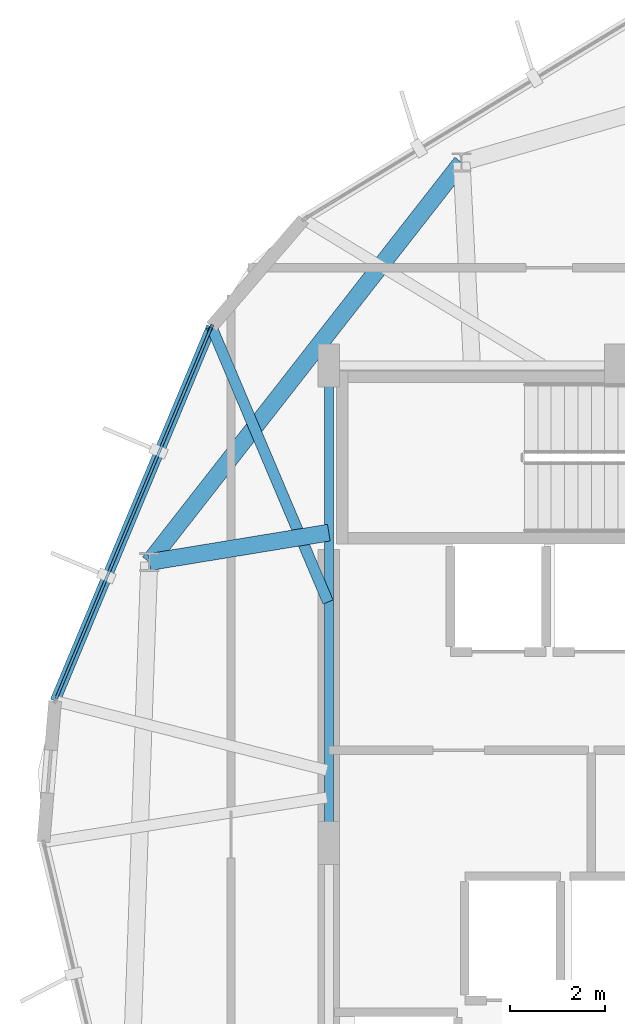
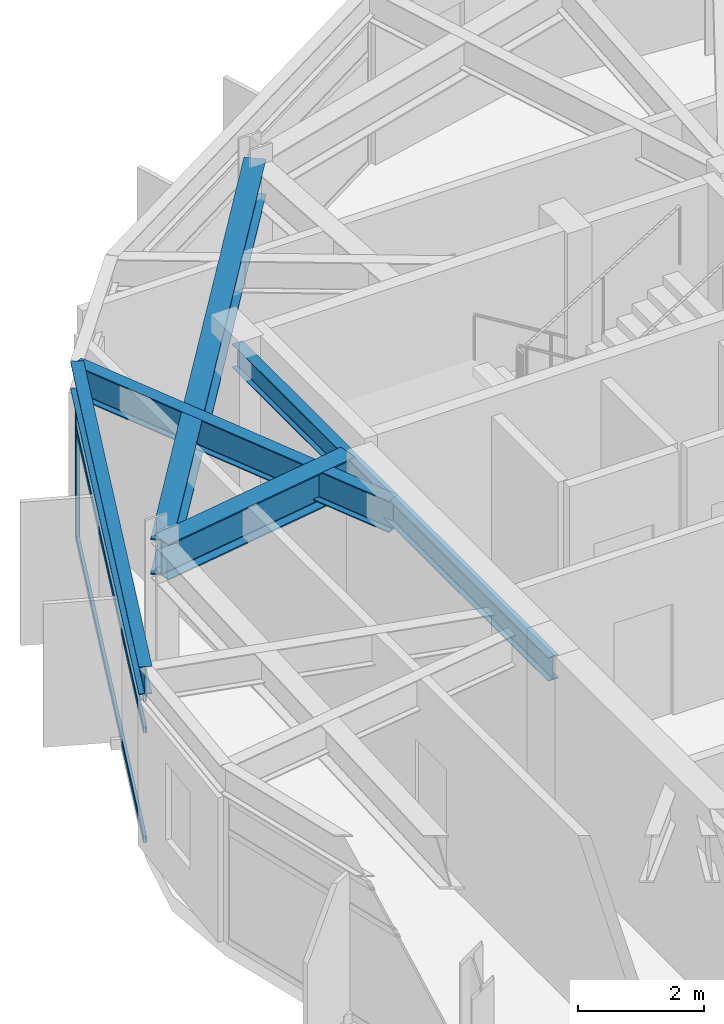
# One storey, part 8 of 23: 5 beams, 4 members, 1 element without a shape of its own.
"""IFC4 building model written with IfcOpenShell, lengths in metres."""

from ifc_helpers import new_model, si_unit, direction, frame, origin, origin_2d, place, context, subcontext, project, spatial, hollow_rectangle, i_section, extrude, material, layer, layer_set, material_profile, profile_set, type_object, element, aggregate, save


model = new_model("IFC4")

# Units and contexts
model_context = context("Model", 3, precision=1e-05, world=origin(), true_north=direction((0.0, 1.0)))
body_context = subcontext(model_context, "Body", "Model", "MODEL_VIEW")
ifc_project = project(units=[si_unit("LENGTHUNIT", "METRE"), si_unit("AREAUNIT", "SQUARE_METRE"), si_unit("VOLUMEUNIT", "CUBIC_METRE"), si_unit("PLANEANGLEUNIT", "RADIAN"), si_unit("MASSUNIT", "GRAM", prefix="KILO")], contexts=[model_context])

# Site, building, storey
site_placement = place(None, origin())
site = spatial("IfcSite", under=ifc_project, at=site_placement, CompositionType="ELEMENT")
building_placement = place(site_placement, origin())
building = spatial("IfcBuilding", under=site, at=building_placement, Name="Soratama Intermodal Tower", CompositionType="ELEMENT")
storey_placement = place(building_placement, frame((0.0, 0.0, 280.0)))
storey = spatial("IfcBuildingStorey", under=building, at=storey_placement, Name="L71", CompositionType="ELEMENT", Elevation=280.0)

# Beams
ifc_material_1 = material(Name="Structural steel ASTM A992 Grade 50", Category="steel")
ifc_material_profile_1 = material_profile(ifc_material_1, i_section(OverallWidth=0.19091796875, OverallDepth=0.4599609375, WebThickness=0.010009765625, FlangeThickness=0.01611328125, FilletRadius=0.010986328125, at=origin_2d()), Name="W18X55")
ifc_profile_set_1 = profile_set([ifc_material_profile_1], Name="Structural steel ASTM A992 Grade 50")
beam_type_1 = type_object("IfcBeamType", Name="BM-FLR-W18X55", PredefinedType="BEAM", material=ifc_profile_set_1)
beam_1_placement = place(storey_placement, frame((32.60009765625, 35.0, 3.179931640625), z_axis=(0.0, -1.0, 0.0), x_axis=(1.0, 0.0, 0.0)))
element("IfcBeam", 1, at=beam_1_placement, inside=storey, type_object=beam_type_1, Name="BM-L71-CRING-08", PredefinedType="BEAM", context=body_context, shape_type="SweptSolid", body=[
    extrude(i_section(OverallWidth=0.19091796875, OverallDepth=0.4599609375, WebThickness=0.010009765625, FlangeThickness=0.01611328125, FilletRadius=0.010986328125, at=origin_2d()), origin(), (0.0, 0.0, 1.0), 10.0),
])
ifc_material_2 = material(Name="Structural steel ASTM A992 Grade 50", Category="steel")
ifc_material_profile_2 = material_profile(ifc_material_2, i_section(OverallWidth=0.35498046875, OverallDepth=0.695068359375, WebThickness=0.015380859375, FlangeThickness=0.02490234375, FilletRadius=0.01611328125, at=origin_2d()), Name="W27X146")
ifc_profile_set_2 = profile_set([ifc_material_profile_2], Name="Structural steel ASTM A992 Grade 50")
beam_type_2 = type_object("IfcBeamType", Name="BM-RING-W27X146", PredefinedType="BEAM", material=ifc_profile_set_2)
beam_2_placement = place(storey_placement, frame((35.382080078125, 39.259033203125, 3.0625), z_axis=(-0.6157278291, -0.787958907858, 0.0), x_axis=(0.787958907858, -0.6157278291, 0.0)))
element("IfcBeam", 2, at=beam_2_placement, inside=storey, type_object=beam_type_2, Name="BM-L71-RING-04", PredefinedType="BEAM", context=body_context, shape_type="SweptSolid", body=[
    extrude(i_section(OverallWidth=0.35498046875, OverallDepth=0.695068359375, WebThickness=0.015380859375, FlangeThickness=0.02490234375, FilletRadius=0.01611328125, at=origin_2d()), origin(), (0.0, 0.0, 1.0), 10.6298828125),
])
beam_3_placement = place(storey_placement, frame((32.60009765625, 31.5, 3.0625), z_axis=(-0.986826492219, -0.161782181513, 0.0), x_axis=(0.161782181513, -0.986826492219, 0.0)))
element("IfcBeam", 3, at=beam_3_placement, inside=storey, type_object=beam_type_2, Name="BM-L71-RAD-05", PredefinedType="BEAM", context=body_context, shape_type="SweptSolid", body=[
    extrude(i_section(OverallWidth=0.35498046875, OverallDepth=0.695068359375, WebThickness=0.015380859375, FlangeThickness=0.02490234375, FilletRadius=0.01611328125, at=origin_2d()), origin(), (0.0, 0.0, 1.0), 3.8134765625),
])
ifc_material_3 = material(Name="Structural steel ASTM A992 Grade 50", Category="steel")
ifc_material_profile_3 = material_profile(ifc_material_3, i_section(OverallWidth=0.2099609375, OverallDepth=0.537109375, WebThickness=0.010986328125, FlangeThickness=0.017333984375, FilletRadius=0.012939453125, at=origin_2d()), Name="W21X68")
ifc_profile_set_3 = profile_set([ifc_material_profile_3], Name="Structural steel ASTM A992 Grade 50")
beam_type_3 = type_object("IfcBeamType", Name="BM-SPN-W21X68", PredefinedType="SPANDREL", material=ifc_profile_set_3)
beam_4_placement = place(storey_placement, frame((30.14111328125, 35.81591796875, 3.1416015625), z_axis=(-0.385534976464, -0.922693221999, 0.0), x_axis=(0.922693221999, -0.385534976464, 0.0)))
element("IfcBeam", 4, at=beam_4_placement, inside=storey, type_object=beam_type_3, Name="BS-L71-F03", PredefinedType="SPANDREL", context=body_context, shape_type="SweptSolid", body=[
    extrude(i_section(OverallWidth=0.2099609375, OverallDepth=0.537109375, WebThickness=0.010986328125, FlangeThickness=0.017333984375, FilletRadius=0.012939453125, at=origin_2d()), origin(), (0.0, 0.0, 1.0), 8.500244140625),
])
ifc_material_4 = material(Name="Structural steel ASTM A992 Grade 50", Category="steel")
ifc_material_profile_4 = material_profile(ifc_material_4, i_section(OverallWidth=0.22900390625, OverallDepth=0.612060546875, WebThickness=0.011962890625, FlangeThickness=0.01953125, FilletRadius=0.012939453125, at=origin_2d()), Name="W24X84")
ifc_profile_set_4 = profile_set([ifc_material_profile_4], Name="Structural steel ASTM A992 Grade 50")
beam_type_4 = type_object("IfcBeamType", Name="BM-TIE-W24X84", PredefinedType="BEAM", material=ifc_profile_set_4)
beam_5_placement = place(storey_placement, frame((32.583984375, 30.0458984375, 3.10400390625), z_axis=(-0.389871316664, 0.920869348194, 0.0), x_axis=(-0.920869348194, -0.389871316664, 0.0)))
element("IfcBeam", 5, at=beam_5_placement, inside=storey, type_object=beam_type_4, Name="BM-L71-TIE0-03", PredefinedType="BEAM", context=body_context, shape_type="SweptSolid", body=[
    extrude(i_section(OverallWidth=0.22900390625, OverallDepth=0.612060546875, WebThickness=0.011962890625, FlangeThickness=0.01953125, FilletRadius=0.012939453125, at=origin_2d()), origin(), (0.0, 0.0, 1.0), 6.265869140625),
])

# Curtain wall, members
ifc_material_5 = material(Name="Double-glazed aluminium curtain wall", Category="aluminium")
ifc_layer = layer(ifc_material_5, 0.159912109375)
ifc_layer_set = layer_set([ifc_layer], Name="Double-glazed aluminium curtain wall")
curtain_wall_type = type_object("IfcCurtainWallType", Name="CW-SYS-5", PredefinedType="NOTDEFINED", material=ifc_layer_set)
curtain_wall_placement = place(storey_placement, origin())
curtain_wall = element("IfcCurtainWall", 6, at=curtain_wall_placement, inside=storey, type_object=curtain_wall_type, Name="L71 Faceted Curtain Wall F03", PredefinedType="NOTDEFINED")
ifc_material_6 = material(Name="Anodised aluminium AA 6063-T6", Category="aluminium")
ifc_material_profile_5 = material_profile(ifc_material_6, hollow_rectangle(XDim=0.06494140625, YDim=0.139892578125, WallThickness=0.0048828125, InnerFilletRadius=0.0048828125, OuterFilletRadius=0.010009765625, at=origin_2d()), Name="CWM140X65X5")
ifc_profile_set_5 = profile_set([ifc_material_profile_5], Name="Anodised aluminium AA 6063-T6")
member_type_1 = type_object("IfcMemberType", Name="MT-CWM-5", PredefinedType="MULLION", material=ifc_profile_set_5)
member_1_placement = place(storey_placement, frame((30.1298828125, 35.787841796875, 0.0), z_axis=(0.0, 0.0, 1.0), x_axis=(0.922673346842, -0.385582539838, 0.0)))
member_1 = element("IfcMember", 7, at=member_1_placement, type_object=member_type_1, Name="CW-5 mullion 1", PredefinedType="MULLION", context=body_context, shape_type="SweptSolid", body=[
    extrude(hollow_rectangle(XDim=0.06494140625, YDim=0.139892578125, WallThickness=0.0048828125, InnerFilletRadius=0.0048828125, OuterFilletRadius=0.010009765625, at=origin_2d()), origin(), (0.0, 0.0, 1.0), 2.7890625),
])
ifc_material_7 = material(Name="Anodised aluminium AA 6063-T6", Category="aluminium")
ifc_material_profile_6 = material_profile(ifc_material_7, hollow_rectangle(XDim=0.06005859375, YDim=0.1298828125, WallThickness=0.0048828125, InnerFilletRadius=0.0048828125, OuterFilletRadius=0.010009765625, at=origin_2d()), Name="CWT130X60X5")
ifc_profile_set_6 = profile_set([ifc_material_profile_6], Name="Anodised aluminium AA 6063-T6")
member_type_2 = type_object("IfcMemberType", Name="TT-CWT-2", PredefinedType="USERDEFINED", material=ifc_profile_set_6)
member_2_placement = place(storey_placement, frame((30.1181640625, 35.76025390625, 0.030029296875), z_axis=(-0.385562648469, -0.922681659136, 0.0), x_axis=(0.922681659136, -0.385562648469, 0.0)))
member_2 = element("IfcMember", 8, at=member_2_placement, type_object=member_type_2, Name="CW-5 transom 1.1", ObjectType="TRANSOM", PredefinedType="USERDEFINED", context=body_context, shape_type="SweptSolid", body=[
    extrude(hollow_rectangle(XDim=0.06005859375, YDim=0.1298828125, WallThickness=0.0048828125, InnerFilletRadius=0.0048828125, OuterFilletRadius=0.010009765625, at=origin_2d()), origin(), (0.0, 0.0, 1.0), 8.3798828125),
])
member_3_placement = place(storey_placement, frame((30.1181640625, 35.76025390625, 2.14990234375), z_axis=(-0.385562648469, -0.922681659136, 0.0), x_axis=(0.922681659136, -0.385562648469, 0.0)))
member_3 = element("IfcMember", 9, at=member_3_placement, type_object=member_type_2, Name="CW-5 transom 1.2", ObjectType="TRANSOM", PredefinedType="USERDEFINED", context=body_context, shape_type="SweptSolid", body=[
    extrude(hollow_rectangle(XDim=0.06005859375, YDim=0.1298828125, WallThickness=0.0048828125, InnerFilletRadius=0.0048828125, OuterFilletRadius=0.010009765625, at=origin_2d()), origin(), (0.0, 0.0, 1.0), 8.3798828125),
])
member_4_placement = place(storey_placement, frame((30.1181640625, 35.76025390625, 2.759033203125), z_axis=(-0.385562648469, -0.922681659136, 0.0), x_axis=(0.922681659136, -0.385562648469, 0.0)))
member_4 = element("IfcMember", 10, at=member_4_placement, type_object=member_type_2, Name="CW-5 transom 1.3", ObjectType="TRANSOM", PredefinedType="USERDEFINED", context=body_context, shape_type="SweptSolid", body=[
    extrude(hollow_rectangle(XDim=0.06005859375, YDim=0.1298828125, WallThickness=0.0048828125, InnerFilletRadius=0.0048828125, OuterFilletRadius=0.010009765625, at=origin_2d()), origin(), (0.0, 0.0, 1.0), 8.3798828125),
])
aggregate(curtain_wall, [member_1, member_2, member_3, member_4])

save(model, "model.ifc")
